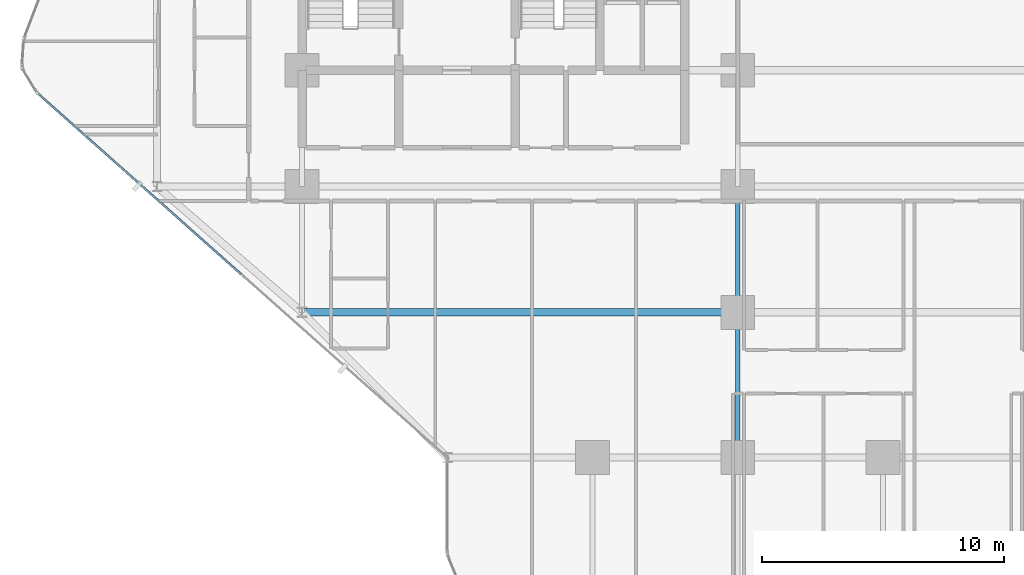
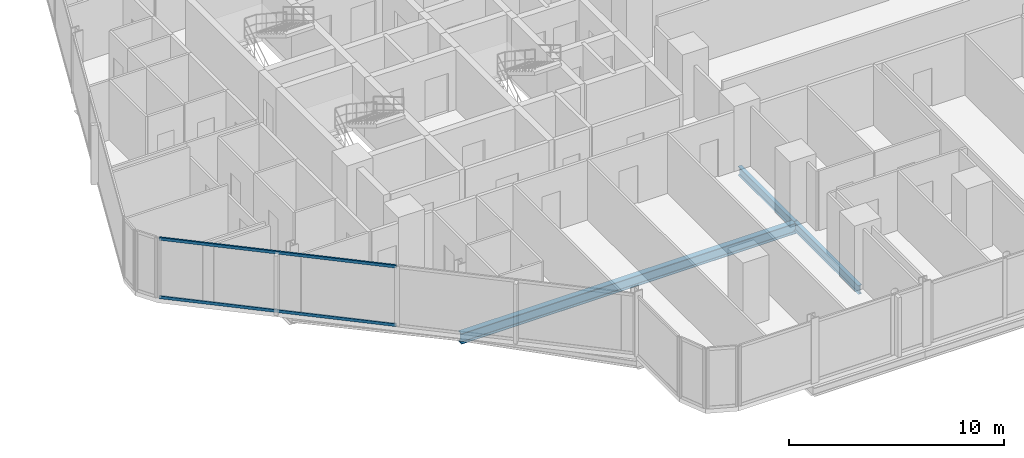
# One storey, part 4 of 34: 3 beams, 2 members, 1 element without a shape of its own.
"""IFC4 building model written with IfcOpenShell, lengths in metres."""

from ifc_helpers import new_model, si_unit, direction, frame, origin, origin_2d, place, context, subcontext, project, spatial, hollow_rectangle, i_section, extrude, material, layer, layer_set, material_profile, profile_set, type_object, element, aggregate, save


model = new_model("IFC4")

# Units and contexts
model_context = context("Model", 3, precision=1e-05, world=origin(), true_north=direction((0.0, 1.0)))
body_context = subcontext(model_context, "Body", "Model", "MODEL_VIEW")
ifc_project = project(units=[si_unit("LENGTHUNIT", "METRE"), si_unit("AREAUNIT", "SQUARE_METRE"), si_unit("VOLUMEUNIT", "CUBIC_METRE"), si_unit("PLANEANGLEUNIT", "RADIAN"), si_unit("MASSUNIT", "GRAM", prefix="KILO")], contexts=[model_context])

# Site, building, storey
site_placement = place(None, origin())
site = spatial("IfcSite", under=ifc_project, at=site_placement, CompositionType="ELEMENT")
building_placement = place(site_placement, origin())
building = spatial("IfcBuilding", under=site, at=building_placement, Name="Keshet Zoharim Tower", CompositionType="ELEMENT")
storey_placement = place(building_placement, frame((0.0, 0.0, 46.199951171875)))
storey = spatial("IfcBuildingStorey", under=building, at=storey_placement, Name="L10", CompositionType="ELEMENT", Elevation=46.199951171875)

# Beams
ifc_material_1 = material(Name="Steel S355", Category="steel")
ifc_material_profile_1 = material_profile(ifc_material_1, i_section(OverallWidth=0.300048828125, OverallDepth=0.60009765625, WebThickness=0.015380859375, FlangeThickness=0.030029296875, FilletRadius=0.027099609375, at=origin_2d()), Name="HEB600")
ifc_profile_set_1 = profile_set([ifc_material_profile_1], Name="Steel S355")
beam_type_1 = type_object("IfcBeamType", Name="BM-LNG-HB600", PredefinedType="BEAM", material=ifc_profile_set_1)
beam_1_placement = place(storey_placement, frame((15.0, 12.699951171875, -0.614990234375), z_axis=(1.0, 0.0, 0.0), x_axis=(0.0, 1.0, 0.0)))
element("IfcBeam", 1, at=beam_1_placement, inside=storey, type_object=beam_type_1, Name="L10 Primary Girder X-011", PredefinedType="BEAM", context=body_context, shape_type="SweptSolid", body=[
    extrude(i_section(OverallWidth=0.300048828125, OverallDepth=0.60009765625, WebThickness=0.015380859375, FlangeThickness=0.030029296875, FilletRadius=0.027099609375, at=origin_2d()), origin(), (0.0, 0.0, 1.0), 18.0),
])
ifc_material_profile_2 = material_profile(ifc_material_1, i_section(OverallWidth=0.199951171875, OverallDepth=0.5, WebThickness=0.01025390625, FlangeThickness=0.01611328125, FilletRadius=0.02099609375, at=origin_2d()), Name="IPE500")
ifc_profile_set_2 = profile_set([ifc_material_profile_2], Name="Steel S355")
beam_type_2 = type_object("IfcBeamType", Name="BM-PRI-IP500", PredefinedType="BEAM", material=ifc_profile_set_2)
beam_2_placement = place(storey_placement, frame((33.0, 6.699951171875, -0.56494140625), z_axis=(0.0, 1.0, 0.0), x_axis=(-1.0, 0.0, 0.0)))
element("IfcBeam", 2, at=beam_2_placement, inside=storey, type_object=beam_type_2, Name="L10 Primary Girder Y-006", PredefinedType="BEAM", context=body_context, shape_type="SweptSolid", body=[
    extrude(i_section(OverallWidth=0.199951171875, OverallDepth=0.5, WebThickness=0.01025390625, FlangeThickness=0.01611328125, FilletRadius=0.02099609375, at=origin_2d()), origin(), (0.0, 0.0, 1.0), 6.0),
])
beam_3_placement = place(storey_placement, frame((33.0, 12.699951171875, -0.56494140625), z_axis=(0.0, 1.0, 0.0), x_axis=(-1.0, 0.0, 0.0)))
element("IfcBeam", 3, at=beam_3_placement, inside=storey, type_object=beam_type_2, Name="L10 Primary Girder Y-007", PredefinedType="BEAM", context=body_context, shape_type="SweptSolid", body=[
    extrude(i_section(OverallWidth=0.199951171875, OverallDepth=0.5, WebThickness=0.01025390625, FlangeThickness=0.01611328125, FilletRadius=0.02099609375, at=origin_2d()), origin(), (0.0, 0.0, 1.0), 5.199951171875),
])

# Curtain wall, members
ifc_material_2 = material(Name="Aluminium 6063-T6", Category="aluminium")
ifc_layer = layer(ifc_material_2, 0.179931640625)
ifc_layer_set = layer_set([ifc_layer], Name="Aluminium 6063-T6")
curtain_wall_type = type_object("IfcCurtainWallType", Name="CW-SYS-01", PredefinedType="NOTDEFINED", material=ifc_layer_set)
curtain_wall_placement = place(storey_placement, origin())
curtain_wall = element("IfcCurtainWall", 4, at=curtain_wall_placement, inside=storey, type_object=curtain_wall_type, Name="L10 Unitised Curtain Wall 01", PredefinedType="NOTDEFINED")
ifc_material_profile_3 = material_profile(ifc_material_2, hollow_rectangle(XDim=0.0849609375, YDim=0.159912109375, WallThickness=0.00439453125, at=origin_2d()), Name="TRN-85x160")
ifc_profile_set_3 = profile_set([ifc_material_profile_3], Name="Aluminium 6063-T6")
member_type = type_object("IfcMemberType", Name="CWT-T16", PredefinedType="USERDEFINED", material=ifc_profile_set_3)
member_1_placement = place(storey_placement, frame((12.491455078125, 14.26318359375, 0.03515625), z_axis=(-0.747411714548, 0.664361143472, 0.0), x_axis=(-0.664361143472, -0.747411714548, 0.0)))
member_1 = element("IfcMember", 5, at=member_1_placement, type_object=member_type, Name="CW-01 transom 2.1", ObjectType="TRANSOM", PredefinedType="USERDEFINED", context=body_context, shape_type="SweptSolid", body=[
    extrude(hollow_rectangle(XDim=0.0849609375, YDim=0.159912109375, WallThickness=0.00439453125, at=origin_2d()), origin(), (0.0, 0.0, 1.0), 11.244140625),
])
member_2_placement = place(storey_placement, frame((12.491455078125, 14.26318359375, 3.35009765625), z_axis=(-0.747411714548, 0.664361143472, 0.0), x_axis=(-0.664361143472, -0.747411714548, 0.0)))
member_2 = element("IfcMember", 6, at=member_2_placement, type_object=member_type, Name="CW-01 transom 2.2", ObjectType="TRANSOM", PredefinedType="USERDEFINED", context=body_context, shape_type="SweptSolid", body=[
    extrude(hollow_rectangle(XDim=0.0849609375, YDim=0.159912109375, WallThickness=0.00439453125, at=origin_2d()), origin(), (0.0, 0.0, 1.0), 11.244140625),
])
aggregate(curtain_wall, [member_1, member_2])

save(model, "model.ifc")
